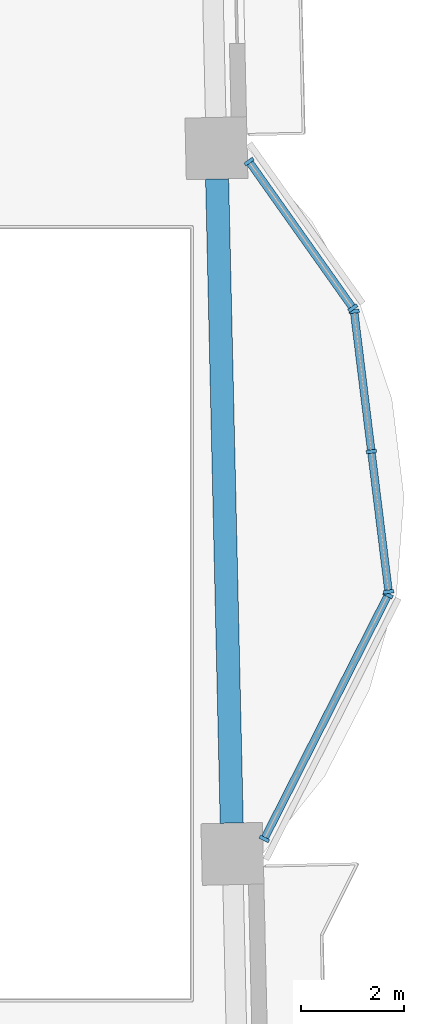
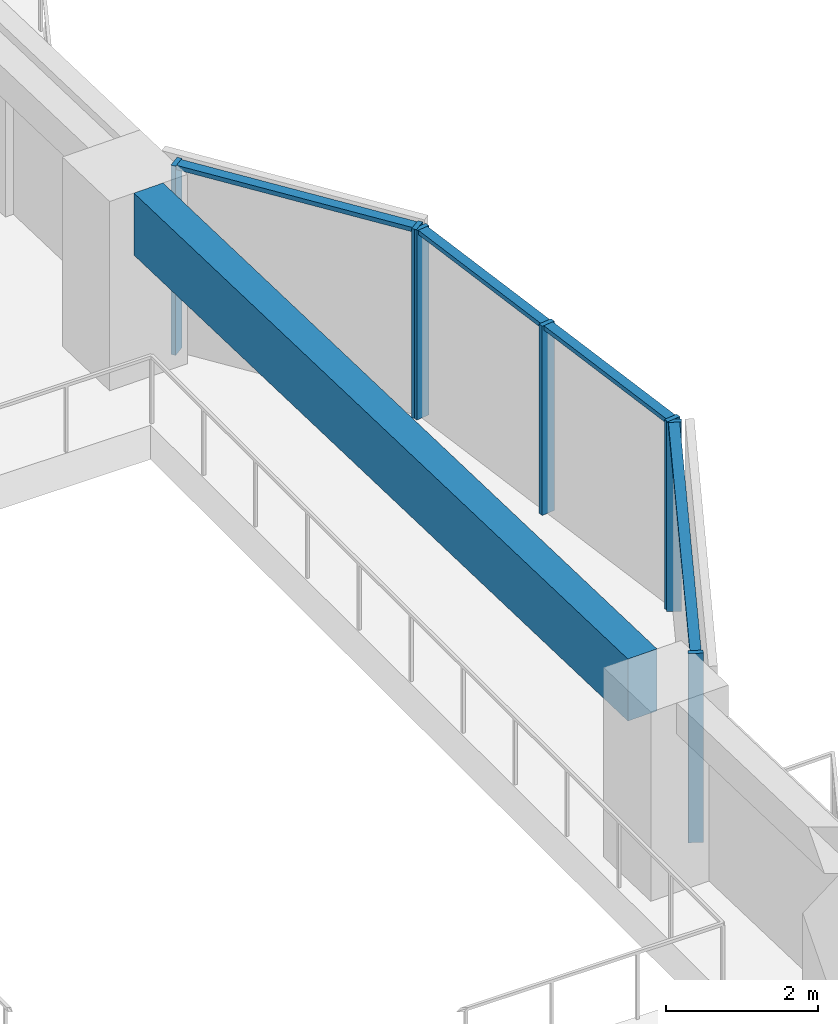
# One storey, part 2 of 14: 11 members, 1 beam, 3 elements without a shape of their own.
"""IFC4 building model written with IfcOpenShell, lengths in metres."""

from ifc_helpers import new_model, si_unit, direction, frame, origin, origin_2d, place, context, subcontext, project, spatial, rectangle, extrude, material, material_profile, profile_set, type_object, element, aggregate, save


model = new_model("IFC4")

# Units and contexts
model_context = context("Model", 3, precision=1e-05, world=origin(), true_north=direction((0.0, 1.0)))
body_context = subcontext(model_context, "Body", "Model", "MODEL_VIEW")
ifc_project = project(units=[si_unit("LENGTHUNIT", "METRE"), si_unit("AREAUNIT", "SQUARE_METRE"), si_unit("VOLUMEUNIT", "CUBIC_METRE"), si_unit("PLANEANGLEUNIT", "RADIAN"), si_unit("MASSUNIT", "GRAM", prefix="KILO")], contexts=[model_context])

# Site, building, storey
site_placement = place(None, origin())
site = spatial("IfcSite", under=ifc_project, at=site_placement, CompositionType="ELEMENT")
building_placement = place(site_placement, origin())
building = spatial("IfcBuilding", under=site, at=building_placement, Name="Mangrove Gate Tower", CompositionType="ELEMENT")
storey_placement = place(building_placement, frame((0.0, 0.0, 182.5)))
storey = spatial("IfcBuildingStorey", under=building, at=storey_placement, Name="L46", CompositionType="ELEMENT", Elevation=182.5)

# Curtain wall, members
ifc_material_1 = material(Name="Aluminium and glass curtain wall", Category="aluminium")
curtain_wall_type = type_object("IfcCurtainWallType", Name="Atrium garden-court glazing wall", PredefinedType="NOTDEFINED", material=ifc_material_1)
curtain_wall_1_placement = place(storey_placement, origin())
curtain_wall_1 = element("IfcCurtainWall", 1, at=curtain_wall_1_placement, inside=storey, type_object=curtain_wall_type, Name="Atrium garden-court glazing E1f1", PredefinedType="NOTDEFINED")
ifc_material_2 = material(Name="Aluminium alloy 6063-T6", Category="aluminium")
ifc_material_profile_1 = material_profile(ifc_material_2, rectangle(XDim=0.070068359375, YDim=0.199951171875, at=origin_2d()))
ifc_profile_set_1 = profile_set([ifc_material_profile_1], Name="Aluminium alloy 6063-T6")
member_type_1 = type_object("IfcMemberType", Name="Atrium garden-court glazing mullion 70x200", PredefinedType="MULLION", material=ifc_profile_set_1)
member_1_placement = place(storey_placement, frame((26.41015625, -4.387451171875, 0.0), z_axis=(0.0, 0.0, 1.0), x_axis=(0.452578247326, 0.891724694089, 0.0)))
member_1 = element("IfcMember", 2, at=member_1_placement, type_object=member_type_1, Name="CWA mullion 1", PredefinedType="MULLION", context=body_context, shape_type="SweptSolid", body=[
    extrude(rectangle(XDim=0.070068359375, YDim=0.199951171875, at=origin_2d()), origin(), (0.0, 0.0, 1.0), 3.050048828125),
])
member_2_placement = place(storey_placement, frame((28.8212890625, 0.363037109375, 0.0), z_axis=(0.0, 0.0, 1.0), x_axis=(0.452578247326, 0.891724694089, 0.0)))
member_2 = element("IfcMember", 3, at=member_2_placement, type_object=member_type_1, Name="CWA mullion 2", PredefinedType="MULLION", context=body_context, shape_type="SweptSolid", body=[
    extrude(rectangle(XDim=0.070068359375, YDim=0.199951171875, at=origin_2d()), origin(), (0.0, 0.0, 1.0), 3.050048828125),
])

curtain_wall_2_placement = place(storey_placement, origin())
curtain_wall_2 = element("IfcCurtainWall", 4, at=curtain_wall_2_placement, inside=storey, type_object=curtain_wall_type, Name="Atrium garden-court glazing E1f2", PredefinedType="NOTDEFINED")
member_3_placement = place(storey_placement, frame((28.8330078125, 0.428955078125, 0.0), z_axis=(0.0, 0.0, 1.0), x_axis=(-0.122172286076, 0.992508908028, 0.0)))
member_3 = element("IfcMember", 5, at=member_3_placement, type_object=member_type_1, Name="CWA mullion 1", PredefinedType="MULLION", context=body_context, shape_type="SweptSolid", body=[
    extrude(rectangle(XDim=0.070068359375, YDim=0.199951171875, at=origin_2d()), origin(), (0.0, 0.0, 1.0), 3.050048828125),
])
member_4_placement = place(storey_placement, frame((28.496826171875, 3.16015625, 0.0), z_axis=(0.0, 0.0, 1.0), x_axis=(-0.122172286076, 0.992508908028, 0.0)))
member_4 = element("IfcMember", 6, at=member_4_placement, type_object=member_type_1, Name="CWA mullion 2", PredefinedType="MULLION", context=body_context, shape_type="SweptSolid", body=[
    extrude(rectangle(XDim=0.070068359375, YDim=0.199951171875, at=origin_2d()), origin(), (0.0, 0.0, 1.0), 3.050048828125),
])
member_5_placement = place(storey_placement, frame((28.16064453125, 5.89111328125, 0.0), z_axis=(0.0, 0.0, 1.0), x_axis=(-0.122172286076, 0.992508908028, 0.0)))
member_5 = element("IfcMember", 7, at=member_5_placement, type_object=member_type_1, Name="CWA mullion 3", PredefinedType="MULLION", context=body_context, shape_type="SweptSolid", body=[
    extrude(rectangle(XDim=0.070068359375, YDim=0.199951171875, at=origin_2d()), origin(), (0.0, 0.0, 1.0), 3.050048828125),
])

curtain_wall_3_placement = place(storey_placement, origin())
curtain_wall_3 = element("IfcCurtainWall", 8, at=curtain_wall_3_placement, inside=storey, type_object=curtain_wall_type, Name="Atrium garden-court glazing E1f3", PredefinedType="NOTDEFINED")
member_6_placement = place(storey_placement, frame((28.135986328125, 5.95458984375, 0.0), z_axis=(0.0, 0.0, 1.0), x_axis=(-0.578106334278, 0.815961436753, 0.0)))
member_6 = element("IfcMember", 9, at=member_6_placement, type_object=member_type_1, Name="CWA mullion 1", PredefinedType="MULLION", context=body_context, shape_type="SweptSolid", body=[
    extrude(rectangle(XDim=0.070068359375, YDim=0.199951171875, at=origin_2d()), origin(), (0.0, 0.0, 1.0), 3.050048828125),
])
member_7_placement = place(storey_placement, frame((26.11376953125, 8.808837890625, 0.0), z_axis=(0.0, 0.0, 1.0), x_axis=(-0.578106334278, 0.815961436753, 0.0)))
member_7 = element("IfcMember", 10, at=member_7_placement, type_object=member_type_1, Name="CWA mullion 2", PredefinedType="MULLION", context=body_context, shape_type="SweptSolid", body=[
    extrude(rectangle(XDim=0.070068359375, YDim=0.199951171875, at=origin_2d()), origin(), (0.0, 0.0, 1.0), 3.050048828125),
])

# Member
ifc_material_3 = material(Name="Aluminium alloy 6063-T6", Category="aluminium")
ifc_material_profile_2 = material_profile(ifc_material_3, rectangle(XDim=0.070068359375, YDim=0.14990234375, at=origin_2d()))
ifc_profile_set_2 = profile_set([ifc_material_profile_2], Name="Aluminium alloy 6063-T6")
member_type_2 = type_object("IfcMemberType", Name="Atrium garden-court glazing transom 70x150", PredefinedType="USERDEFINED", material=ifc_profile_set_2)
member_8_placement = place(storey_placement, frame((26.426025390625, -4.3564453125, 3.014892578125), z_axis=(0.452573642037, 0.891727031402, 0.0), x_axis=(0.0, 0.0, 1.0)))
member_8 = element("IfcMember", 11, at=member_8_placement, type_object=member_type_2, Name="CWA transom 1.2", ObjectType="TRANSOM", PredefinedType="USERDEFINED", context=body_context, shape_type="SweptSolid", body=[
    extrude(rectangle(XDim=0.070068359375, YDim=0.14990234375, at=origin_2d()), origin(), (0.0, 0.0, 1.0), 5.257568359375),
])

aggregate(curtain_wall_1, [member_1, member_2, member_8])

member_9_placement = place(storey_placement, frame((28.82861328125, 0.463623046875, 3.014892578125), z_axis=(-0.122174517154, 0.992508633392, 0.0), x_axis=(0.0, 0.0, 1.0)))
member_9 = element("IfcMember", 12, at=member_9_placement, type_object=member_type_2, Name="CWA transom 1.2", ObjectType="TRANSOM", PredefinedType="USERDEFINED", context=body_context, shape_type="SweptSolid", body=[
    extrude(rectangle(XDim=0.070068359375, YDim=0.14990234375, at=origin_2d()), origin(), (0.0, 0.0, 1.0), 2.681640625),
])

member_10_placement = place(storey_placement, frame((28.492431640625, 3.19482421875, 3.014892578125), z_axis=(-0.122174517154, 0.992508633392, 0.0), x_axis=(0.0, 0.0, 1.0)))
member_10 = element("IfcMember", 13, at=member_10_placement, type_object=member_type_2, Name="CWA transom 2.2", ObjectType="TRANSOM", PredefinedType="USERDEFINED", context=body_context, shape_type="SweptSolid", body=[
    extrude(rectangle(XDim=0.070068359375, YDim=0.14990234375, at=origin_2d()), origin(), (0.0, 0.0, 1.0), 2.681640625),
])

aggregate(curtain_wall_2, [member_3, member_4, member_5, member_9, member_10])

member_11_placement = place(storey_placement, frame((28.11572265625, 5.983154296875, 3.014892578125), z_axis=(-0.578094404228, 0.815969889028, 0.0), x_axis=(0.0, 0.0, 1.0)))
member_11 = element("IfcMember", 14, at=member_11_placement, type_object=member_type_2, Name="CWA transom 1.2", ObjectType="TRANSOM", PredefinedType="USERDEFINED", context=body_context, shape_type="SweptSolid", body=[
    extrude(rectangle(XDim=0.070068359375, YDim=0.14990234375, at=origin_2d()), origin(), (0.0, 0.0, 1.0), 3.427978515625),
])

aggregate(curtain_wall_3, [member_6, member_7, member_11])

# Beam
ifc_material_4 = material(Name="Concrete C50/60", Category="concrete")
ifc_material_profile_3 = material_profile(ifc_material_4, rectangle(XDim=0.449951171875, YDim=1.0, at=origin_2d()))
ifc_profile_set_3 = profile_set([ifc_material_profile_3], Name="Concrete C50/60")
beam_type = type_object("IfcBeamType", Name="Edge beam RC 450x1000 C50/60", PredefinedType="BEAM", material=ifc_profile_set_3)
beam_placement = place(storey_placement, frame((25.776611328125, -4.078857421875, 2.550048828125), z_axis=(-0.022699313353, 0.999742337392, 0.0), x_axis=(-0.999742337392, -0.022699313353, 0.0)))
element("IfcBeam", 15, at=beam_placement, inside=storey, type_object=beam_type, Name="Edge beam L46 14", PredefinedType="BEAM", context=body_context, shape_type="SweptSolid", body=[
    extrude(rectangle(XDim=0.449951171875, YDim=1.0, at=origin_2d()), origin(), (0.0, 0.0, 1.0), 12.551513671875),
])

save(model, "model.ifc")
